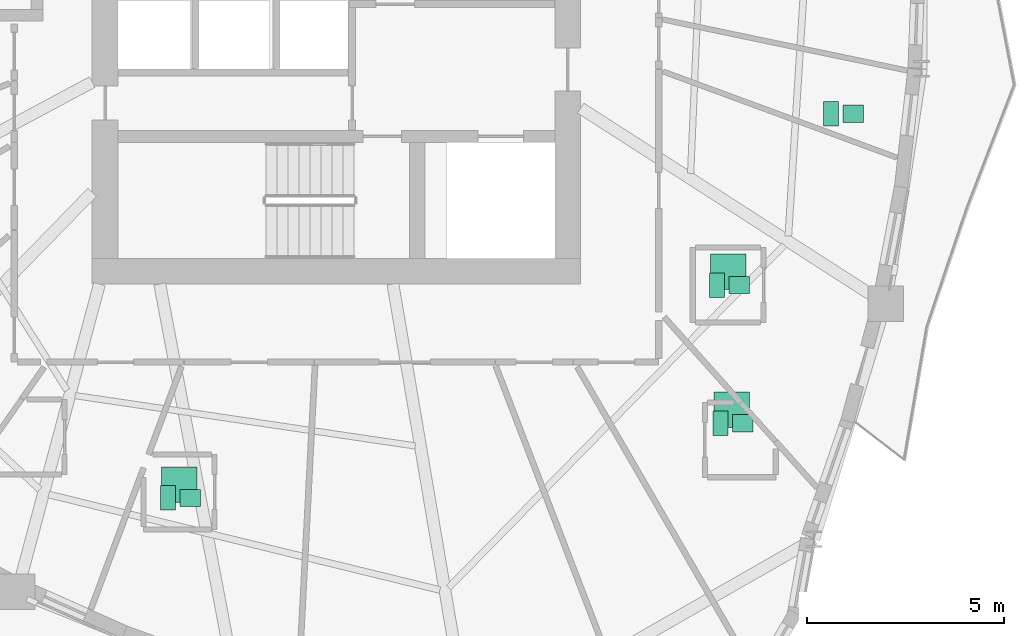
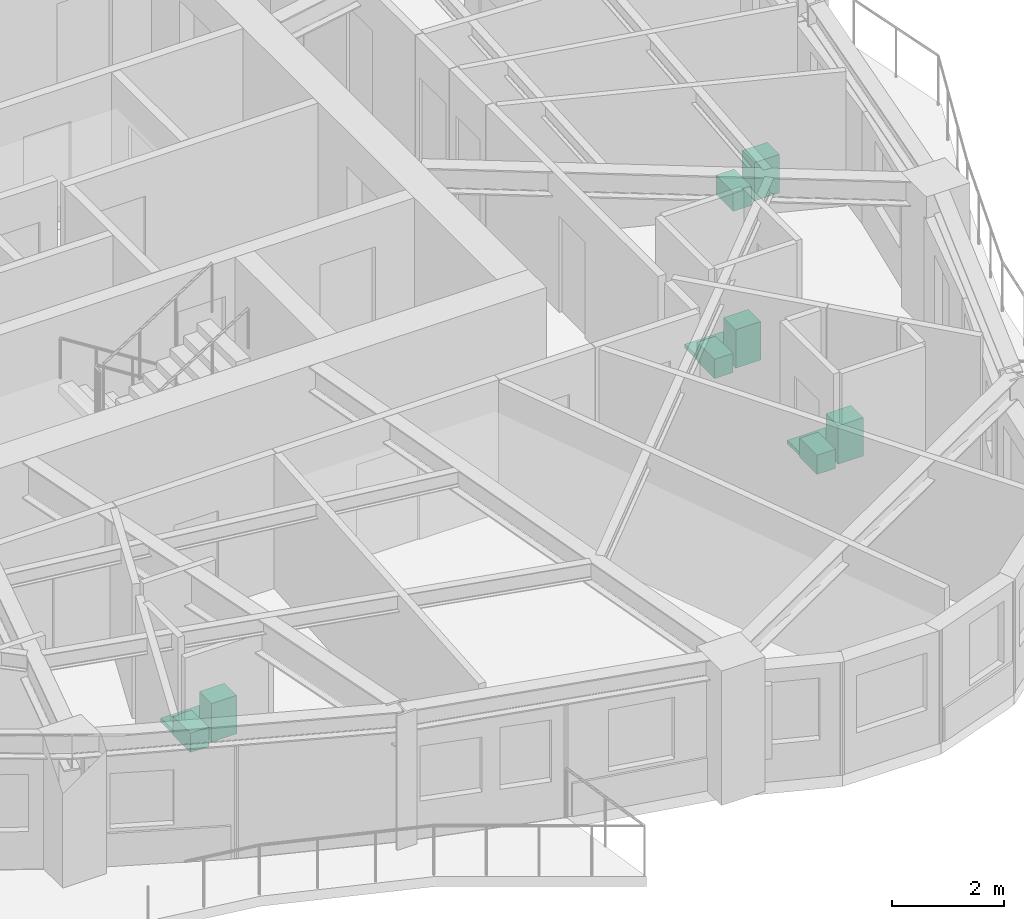
# One storey, part 13 of 13: 11 sanitary terminals.
"""IFC4 building model written with IfcOpenShell, lengths in metres."""

from ifc_helpers import new_model, si_unit, direction, frame, origin, origin_2d, place, context, subcontext, project, spatial, rectangle, extrude, source, transform, mapped, material, type_object, element, save


model = new_model("IFC4")

# Units and contexts
model_context = context("Model", 3, precision=1e-05, world=origin(), true_north=direction((0.0, 1.0)))
body_context = subcontext(model_context, "Body", "Model", "MODEL_VIEW")
ifc_project = project(units=[si_unit("LENGTHUNIT", "METRE"), si_unit("AREAUNIT", "SQUARE_METRE"), si_unit("VOLUMEUNIT", "CUBIC_METRE"), si_unit("PLANEANGLEUNIT", "RADIAN"), si_unit("MASSUNIT", "GRAM", prefix="KILO")], contexts=[model_context])

# Site, building, storey
site_placement = place(None, origin())
site = spatial("IfcSite", under=ifc_project, at=site_placement, CompositionType="ELEMENT")
building_placement = place(site_placement, origin())
building = spatial("IfcBuilding", under=site, at=building_placement, Name="Qafzar Sky-Pleat Residences", CompositionType="ELEMENT")
storey_placement = place(building_placement, frame((0.0, 0.0, 105.60009765625)))
storey = spatial("IfcBuildingStorey", under=building, at=storey_placement, Name="L31", CompositionType="ELEMENT", Elevation=105.60009765625)

# Sanitary terminals
ifc_material_1 = material(Name="Vitreous china sanitaryware")
sanitary_terminal_type_1 = type_object("IfcSanitaryTerminalType", Name="SAN-WC-PAN", PredefinedType="TOILETPAN", material=ifc_material_1)
shared_shape_1 = source(origin(), body_context, "Body", "SweptSolid", [
    extrude(rectangle(XDim=0.3798828125, YDim=0.6201171875, at=origin_2d()), origin(), (0.0, 0.0, 1.0), 0.419921875),
])
for number, where, z_axis, x_axis, name in (
    (1, (26.074951171875, 12.12109375, 0.0), (0.0, 0.0, 1.0), (1.0, 0.0, 0.0), "L31 En-suite Bathroom 1 WC Pan"),
    (2, (40.106689453125, 14.0205078125, 0.0), (0.0, 0.0, 1.0), (1.0, 0.0, 0.0), "L31 En-suite Bathroom 3 WC Pan"),
    (3, (40.014892578125, 17.52587890625, 0.0), (0.0, 0.0, 1.0), (1.0, 0.0, 0.0), "L31 En-suite Bathroom 4 WC Pan"),
    (4, (42.90966796875, 21.87109375, 0.0), (0.0, 0.0, 1.0), (1.0, 0.0, 0.0), "L31 Accessible Shared Washroom WC Pan"),
):
    element("IfcSanitaryTerminal", number, at=place(storey_placement, frame(where, z_axis=z_axis, x_axis=x_axis)), inside=storey, type_object=sanitary_terminal_type_1, Name=name, PredefinedType="TOILETPAN", context=body_context, shape_type="MappedRepresentation", body=[
        mapped(shared_shape_1, transform((0.0, 0.0, 0.0), x_axis=(1.0, 0.0, 0.0), y_axis=(0.0, 1.0, 0.0), z_axis=(0.0, 0.0, 1.0), scale=1.0)),
    ])
sanitary_terminal_type_2 = type_object("IfcSanitaryTerminalType", Name="SAN-BASIN", PredefinedType="WASHHANDBASIN", material=ifc_material_1)
shared_shape_2 = source(origin(), body_context, "Body", "SweptSolid", [
    extrude(rectangle(XDim=0.52001953125, YDim=0.43994140625, at=origin_2d()), origin(), (0.0, 0.0, 1.0), 0.840087890625),
])
for number, where, z_axis, x_axis, name in (
    (5, (26.635009765625, 12.12109375, 0.0), (0.0, 0.0, 1.0), (1.0, 0.0, 0.0), "L31 En-suite Bathroom 1 Pedestal Washbasin"),
    (6, (40.66650390625, 14.0205078125, 0.0), (0.0, 0.0, 1.0), (1.0, 0.0, 0.0), "L31 En-suite Bathroom 3 Pedestal Washbasin"),
    (7, (40.574951171875, 17.52587890625, 0.0), (0.0, 0.0, 1.0), (1.0, 0.0, 0.0), "L31 En-suite Bathroom 4 Pedestal Washbasin"),
    (8, (43.4697265625, 21.87109375, 0.0), (0.0, 0.0, 1.0), (1.0, 0.0, 0.0), "L31 Accessible Shared Washroom Pedestal Washbasin"),
):
    element("IfcSanitaryTerminal", number, at=place(storey_placement, frame(where, z_axis=z_axis, x_axis=x_axis)), inside=storey, type_object=sanitary_terminal_type_2, Name=name, PredefinedType="WASHHANDBASIN", context=body_context, shape_type="MappedRepresentation", body=[
        mapped(shared_shape_2, transform((0.0, 0.0, 0.0), x_axis=(1.0, 0.0, 0.0), y_axis=(0.0, 1.0, 0.0), z_axis=(0.0, 0.0, 1.0), scale=1.0)),
    ])
ifc_material_2 = material(Name="Vitreous china and acrylic tray")
sanitary_terminal_type_3 = type_object("IfcSanitaryTerminalType", Name="SAN-SHOWER", PredefinedType="SHOWER", material=ifc_material_2)
shared_shape_3 = source(origin(), body_context, "Body", "SweptSolid", [
    extrude(rectangle(XDim=0.89990234375, YDim=0.89990234375, at=origin_2d()), origin(), (0.0, 0.0, 1.0), 0.080078125),
])
for number, where, z_axis, x_axis, name in (
    (9, (26.35498046875, 12.4609375, -0.000244140625), (0.0, 0.0, 1.0), (1.0, 0.0, 0.0), "L31 En-suite Bathroom 1 Walk-In Shower"),
    (10, (40.38671875, 14.360595703125, -0.000244140625), (0.0, 0.0, 1.0), (1.0, 0.0, 0.0), "L31 En-suite Bathroom 3 Walk-In Shower"),
    (11, (40.294921875, 17.865966796875, -0.000244140625), (0.0, 0.0, 1.0), (1.0, 0.0, 0.0), "L31 En-suite Bathroom 4 Walk-In Shower"),
):
    element("IfcSanitaryTerminal", number, at=place(storey_placement, frame(where, z_axis=z_axis, x_axis=x_axis)), inside=storey, type_object=sanitary_terminal_type_3, Name=name, PredefinedType="SHOWER", context=body_context, shape_type="MappedRepresentation", body=[
        mapped(shared_shape_3, transform((0.0, 0.0, 0.0), x_axis=(1.0, 0.0, 0.0), y_axis=(0.0, 1.0, 0.0), z_axis=(0.0, 0.0, 1.0), scale=1.0)),
    ])

save(model, "model.ifc")
